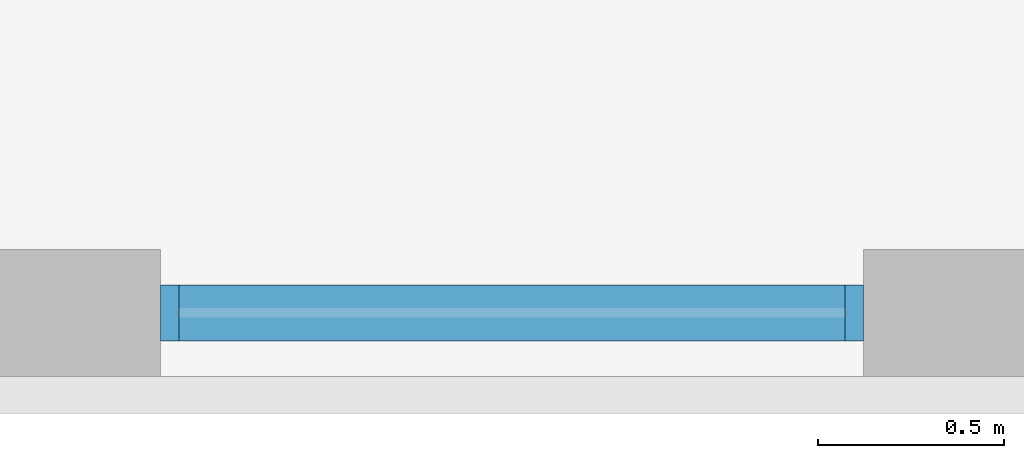
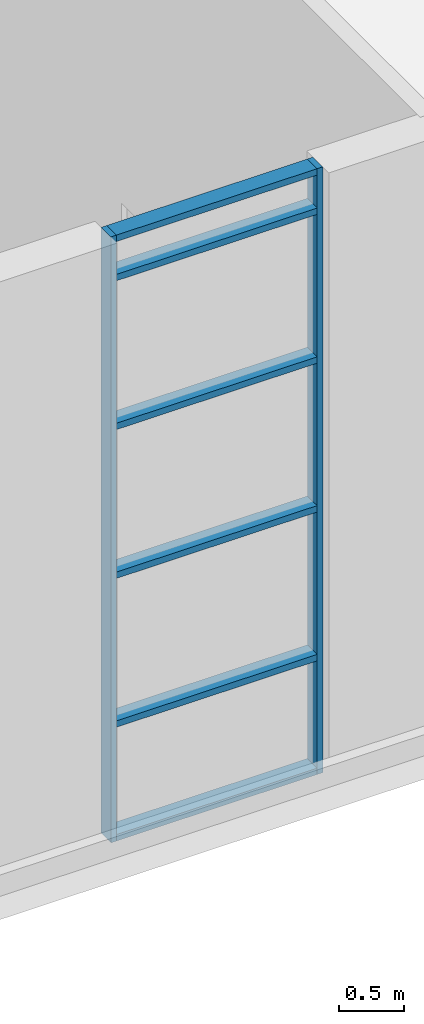
# One storey, part 4 of 27: 8 members, 1 element without a shape of its own.
"""IFC4 building model written with IfcOpenShell, lengths in metres."""

from ifc_helpers import new_model, si_unit, direction, frame, origin, origin_2d, place, context, subcontext, project, spatial, rectangle, extrude, material, material_profile, profile_set, type_object, element, aggregate, save


model = new_model("IFC4")

# Units and contexts
model_context = context("Model", 3, precision=1e-05, world=origin(), true_north=direction((0.0, 1.0)))
body_context = subcontext(model_context, "Body", "Model", "MODEL_VIEW")
ifc_project = project(units=[si_unit("LENGTHUNIT", "METRE"), si_unit("AREAUNIT", "SQUARE_METRE"), si_unit("VOLUMEUNIT", "CUBIC_METRE"), si_unit("PLANEANGLEUNIT", "RADIAN"), si_unit("MASSUNIT", "GRAM", prefix="KILO")], contexts=[model_context])

# Site, building, storey
site_placement = place(None, origin())
site = spatial("IfcSite", under=ifc_project, at=site_placement, CompositionType="ELEMENT")
building_placement = place(site_placement, origin())
building = spatial("IfcBuilding", under=site, at=building_placement, Name="Fogline Exchange Tower", CompositionType="ELEMENT")
storey_placement = place(building_placement, frame((0.0, 0.0, 8.0)))
storey = spatial("IfcBuildingStorey", under=building, at=storey_placement, Name="L01", CompositionType="ELEMENT", Elevation=8.0)

# Curtain wall, members
ifc_material_1 = material(Name="Aluminium and glass", Category="aluminium")
curtain_wall_type = type_object("IfcCurtainWallType", Name="CW3", PredefinedType="NOTDEFINED", material=ifc_material_1)
curtain_wall_placement = place(storey_placement, origin())
curtain_wall = element("IfcCurtainWall", 1, at=curtain_wall_placement, inside=storey, type_object=curtain_wall_type, Name="CW3 L01 S run 2", PredefinedType="NOTDEFINED")
ifc_material_2 = material(Name="Aluminium", Category="aluminium")
ifc_material_profile_1 = material_profile(ifc_material_2, rectangle(XDim=0.14990234375, YDim=0.050048828125, at=origin_2d()), Name="Mullion 50x150")
ifc_profile_set_1 = profile_set([ifc_material_profile_1], Name="Aluminium")
member_type_1 = type_object("IfcMemberType", Name="CW3-M", PredefinedType="MULLION", material=ifc_profile_set_1)
member_1_placement = place(storey_placement, frame((17.08251953125, 0.169921875, 0.0), z_axis=(0.0, 0.0, 1.0), x_axis=(0.0, 1.0, 0.0)))
member_1 = element("IfcMember", 2, at=member_1_placement, type_object=member_type_1, Name="CW3-P01-02 mullion 1", PredefinedType="MULLION", context=body_context, shape_type="SweptSolid", body=[
    extrude(rectangle(XDim=0.14990234375, YDim=0.050048828125, at=origin_2d()), origin(), (0.0, 0.0, 1.0), 5.699951171875),
])
member_2_placement = place(storey_placement, frame((18.91748046875, 0.169921875, 0.0), z_axis=(0.0, 0.0, 1.0), x_axis=(0.0, 1.0, 0.0)))
member_2 = element("IfcMember", 3, at=member_2_placement, type_object=member_type_1, Name="CW3-P01-02 mullion 2", PredefinedType="MULLION", context=body_context, shape_type="SweptSolid", body=[
    extrude(rectangle(XDim=0.14990234375, YDim=0.050048828125, at=origin_2d()), origin(), (0.0, 0.0, 1.0), 5.699951171875),
])
ifc_material_profile_2 = material_profile(ifc_material_2, rectangle(XDim=0.14990234375, YDim=0.06005859375, at=origin_2d()), Name="Transom 60x150")
ifc_profile_set_2 = profile_set([ifc_material_profile_2], Name="Aluminium")
member_type_2 = type_object("IfcMemberType", Name="CW3-T", PredefinedType="USERDEFINED", material=ifc_profile_set_2)
member_3_placement = place(storey_placement, frame((17.107421875, 0.169921875, 0.030029296875), z_axis=(1.0, 0.0, 0.0), x_axis=(0.0, 1.0, 0.0)))
member_3 = element("IfcMember", 4, at=member_3_placement, type_object=member_type_2, Name="CW3-P01-02 transom 1.1", ObjectType="TRANSOM", PredefinedType="USERDEFINED", context=body_context, shape_type="SweptSolid", body=[
    extrude(rectangle(XDim=0.14990234375, YDim=0.06005859375, at=origin_2d()), origin(), (0.0, 0.0, 1.0), 1.78515625),
])
member_4_placement = place(storey_placement, frame((17.107421875, 0.169921875, 1.10009765625), z_axis=(1.0, 0.0, 0.0), x_axis=(0.0, 1.0, 0.0)))
member_4 = element("IfcMember", 5, at=member_4_placement, type_object=member_type_2, Name="CW3-P01-02 transom 1.2", ObjectType="TRANSOM", PredefinedType="USERDEFINED", context=body_context, shape_type="SweptSolid", body=[
    extrude(rectangle(XDim=0.14990234375, YDim=0.06005859375, at=origin_2d()), origin(), (0.0, 0.0, 1.0), 1.78515625),
])
member_5_placement = place(storey_placement, frame((17.107421875, 0.169921875, 2.5), z_axis=(1.0, 0.0, 0.0), x_axis=(0.0, 1.0, 0.0)))
member_5 = element("IfcMember", 6, at=member_5_placement, type_object=member_type_2, Name="CW3-P01-02 transom 1.3", ObjectType="TRANSOM", PredefinedType="USERDEFINED", context=body_context, shape_type="SweptSolid", body=[
    extrude(rectangle(XDim=0.14990234375, YDim=0.06005859375, at=origin_2d()), origin(), (0.0, 0.0, 1.0), 1.78515625),
])
member_6_placement = place(storey_placement, frame((17.107421875, 0.169921875, 3.89990234375), z_axis=(1.0, 0.0, 0.0), x_axis=(0.0, 1.0, 0.0)))
member_6 = element("IfcMember", 7, at=member_6_placement, type_object=member_type_2, Name="CW3-P01-02 transom 1.4", ObjectType="TRANSOM", PredefinedType="USERDEFINED", context=body_context, shape_type="SweptSolid", body=[
    extrude(rectangle(XDim=0.14990234375, YDim=0.06005859375, at=origin_2d()), origin(), (0.0, 0.0, 1.0), 1.78515625),
])
member_7_placement = place(storey_placement, frame((17.107421875, 0.169921875, 5.300048828125), z_axis=(1.0, 0.0, 0.0), x_axis=(0.0, 1.0, 0.0)))
member_7 = element("IfcMember", 8, at=member_7_placement, type_object=member_type_2, Name="CW3-P01-02 transom 1.5", ObjectType="TRANSOM", PredefinedType="USERDEFINED", context=body_context, shape_type="SweptSolid", body=[
    extrude(rectangle(XDim=0.14990234375, YDim=0.06005859375, at=origin_2d()), origin(), (0.0, 0.0, 1.0), 1.78515625),
])
member_8_placement = place(storey_placement, frame((17.107421875, 0.169921875, 5.669921875), z_axis=(1.0, 0.0, 0.0), x_axis=(0.0, 1.0, 0.0)))
member_8 = element("IfcMember", 9, at=member_8_placement, type_object=member_type_2, Name="CW3-P01-02 transom 1.6", ObjectType="TRANSOM", PredefinedType="USERDEFINED", context=body_context, shape_type="SweptSolid", body=[
    extrude(rectangle(XDim=0.14990234375, YDim=0.06005859375, at=origin_2d()), origin(), (0.0, 0.0, 1.0), 1.78515625),
])
aggregate(curtain_wall, [member_1, member_2, member_3, member_4, member_5, member_6, member_7, member_8])

save(model, "model.ifc")
